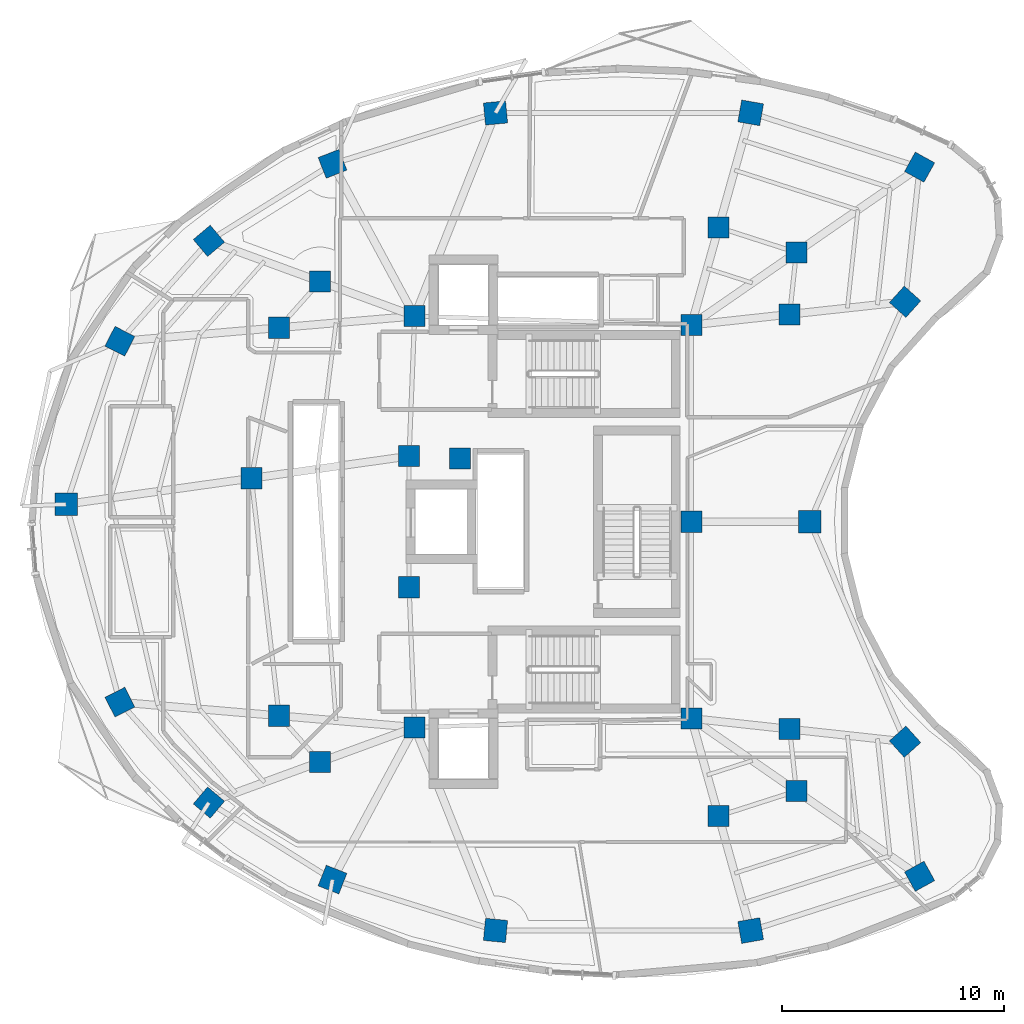
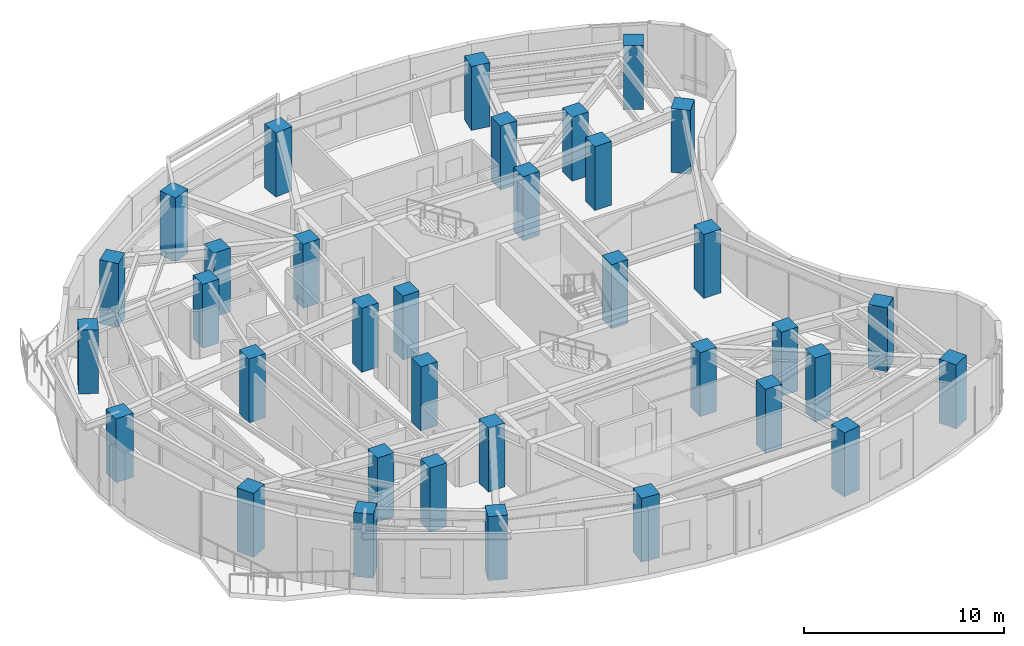
# One storey, part 1 of 13: 35 columns.
"""IFC4 building model written with IfcOpenShell, lengths in metres."""

from ifc_helpers import new_model, si_unit, direction, frame, origin, origin_2d, place, context, subcontext, project, spatial, rectangle, extrude, material, material_profile, profile_set, type_object, element, save


model = new_model("IFC4")

# Units and contexts
model_context = context("Model", 3, precision=1e-05, world=origin(), true_north=direction((0.0, 1.0)))
body_context = subcontext(model_context, "Body", "Model", "MODEL_VIEW")
ifc_project = project(units=[si_unit("LENGTHUNIT", "METRE"), si_unit("AREAUNIT", "SQUARE_METRE"), si_unit("VOLUMEUNIT", "CUBIC_METRE"), si_unit("PLANEANGLEUNIT", "RADIAN"), si_unit("MASSUNIT", "GRAM", prefix="KILO")], contexts=[model_context])

# Site, building, storey
site_placement = place(None, origin())
site = spatial("IfcSite", under=ifc_project, at=site_placement, CompositionType="ELEMENT")
building_placement = place(site_placement, origin())
building = spatial("IfcBuilding", under=site, at=building_placement, Name="Korentha Bioscience Tower", CompositionType="ELEMENT")
storey_placement = place(building_placement, frame((0.0, 0.0, 183.60009765625)))
storey = spatial("IfcBuildingStorey", under=building, at=storey_placement, Name="L42", CompositionType="ELEMENT", Elevation=183.60009765625)

# Columns
ifc_material = material(Name="Concrete C65", Category="concrete")
ifc_material_profile_1 = material_profile(ifc_material, rectangle(XDim=0.949951171875, YDim=0.949951171875, at=origin_2d()), Name="Concrete C65")
ifc_profile_set_1 = profile_set([ifc_material_profile_1], Name="Concrete C65 (COL-CP09)")
column_type_1 = type_object("IfcColumnType", Name="Core Pilaster Column RC 950x950", PredefinedType="PILASTER", material=ifc_profile_set_1)
for number, where, z_axis, x_axis, name in (
    (1, (37.550048828125, 35.85009765625, -0.00048828125), (0.0, 0.0, 1.0), (1.0, 0.0, 0.0), "L42 Core Pilaster CP-01"),
    (2, (25.10009765625, 36.25, -0.00048828125), (0.0, 0.0, 1.0), (1.0, 0.0, 0.0), "L42 Core Pilaster CP-02"),
    (3, (24.85009765625, 29.949951171875, -0.00048828125), (0.0, 0.0, 1.0), (1.0, 0.0, 0.0), "L42 Core Pilaster CP-03"),
    (4, (27.14990234375, 29.85009765625, -0.00048828125), (0.0, 0.0, 1.0), (1.0, 0.0, 0.0), "L42 Core Pilaster CP-04"),
    (5, (24.85009765625, 24.050048828125, -0.00048828125), (0.0, 0.0, 1.0), (1.0, 0.0, 0.0), "L42 Core Pilaster CP-05"),
    (6, (25.10009765625, 17.75, -0.00048828125), (0.0, 0.0, 1.0), (1.0, 0.0, 0.0), "L42 Core Pilaster CP-06"),
    (7, (37.550048828125, 18.14990234375, -0.00048828125), (0.0, 0.0, 1.0), (1.0, 0.0, 0.0), "L42 Core Pilaster CP-07"),
    (8, (37.550048828125, 27.0, -0.00048828125), (0.0, 0.0, 1.0), (1.0, 0.0, 0.0), "L42 Core Pilaster CP-08"),
):
    element("IfcColumn", number, at=place(storey_placement, frame(where, z_axis=z_axis, x_axis=x_axis)), inside=storey, type_object=column_type_1, Name=name, PredefinedType="PILASTER", context=body_context, shape_type="SweptSolid", body=[
        extrude(rectangle(XDim=0.949951171875, YDim=0.949951171875, at=origin_2d()), origin(), (0.0, 0.0, 1.0), 3.90087890625),
    ])
ifc_material_profile_2 = material_profile(ifc_material, rectangle(XDim=0.949951171875, YDim=0.949951171875, at=origin_2d()), Name="Concrete C65")
ifc_profile_set_2 = profile_set([ifc_material_profile_2], Name="Concrete C65 (COL-MR09)")
column_type_2 = type_object("IfcColumnType", Name="Mid-Ring Lab Column RC 950x950", PredefinedType="COLUMN", material=ifc_profile_set_2)
for number, where, z_axis, x_axis, name in (
    (9, (42.274658203125, 39.1171875, -0.00048828125), (0.0, 0.0, 1.0), (1.0, 0.0, 0.0), "L42 Mid-Ring Column 01"),
    (10, (38.77880859375, 40.2412109375, -0.00048828125), (0.0, 0.0, 1.0), (1.0, 0.0, 0.0), "L42 Mid-Ring Column 02"),
    (11, (20.84228515625, 37.807861328125, -0.00048828125), (0.0, 0.0, 1.0), (1.0, 0.0, 0.0), "L42 Mid-Ring Column 05"),
    (12, (18.99951171875, 35.72998046875, -0.00048828125), (0.0, 0.0, 1.0), (1.0, 0.0, 0.0), "L42 Mid-Ring Column 06"),
    (13, (17.75341796875, 28.95458984375, -0.00048828125), (0.0, 0.0, 1.0), (1.0, 0.0, 0.0), "L42 Mid-Ring Column 07"),
    (14, (18.99951171875, 18.27001953125, -0.00048828125), (0.0, 0.0, 1.0), (1.0, 0.0, 0.0), "L42 Mid-Ring Column 08"),
    (15, (20.84228515625, 16.192138671875, -0.00048828125), (0.0, 0.0, 1.0), (1.0, 0.0, 0.0), "L42 Mid-Ring Column 09"),
    (16, (38.77880859375, 13.7587890625, -0.00048828125), (0.0, 0.0, 1.0), (1.0, 0.0, 0.0), "L42 Mid-Ring Column 12"),
    (17, (42.274658203125, 14.8828125, -0.00048828125), (0.0, 0.0, 1.0), (1.0, 0.0, 0.0), "L42 Mid-Ring Column 13"),
    (18, (41.97412109375, 17.66796875, -0.00048828125), (0.0, 0.0, 1.0), (1.0, 0.0, 0.0), "L42 Mid-Ring Column 14"),
    (19, (41.97412109375, 36.33203125, -0.00048828125), (0.0, 0.0, 1.0), (1.0, 0.0, 0.0), "L42 Mid-Ring Column 16"),
):
    element("IfcColumn", number, at=place(storey_placement, frame(where, z_axis=z_axis, x_axis=x_axis)), inside=storey, type_object=column_type_2, Name=name, PredefinedType="COLUMN", context=body_context, shape_type="SweptSolid", body=[
        extrude(rectangle(XDim=0.949951171875, YDim=0.949951171875, at=origin_2d()), origin(), (0.0, 0.0, 1.0), 3.90087890625),
    ])
ifc_material_profile_3 = material_profile(ifc_material, rectangle(XDim=1.0, YDim=1.0, at=origin_2d()), Name="Concrete C65")
ifc_profile_set_3 = profile_set([ifc_material_profile_3], Name="Concrete C65 (COL-P10)")
column_type_3 = type_object("IfcColumnType", Name="Perimeter Column RC 1000x1000", PredefinedType="COLUMN", material=ifc_profile_set_3)
for number, where, z_axis, x_axis, name in (
    (20, (47.821044921875, 42.95263671875, -0.00048828125), (0.0, 0.0, 1.0), (-0.874535078577, 0.484962262797, 0.0), "L42 Perimeter Column 01"),
    (21, (40.22119140625, 45.39599609375, -0.00048828125), (0.0, 0.0, 1.0), (-0.984868307662, 0.173304404339, 0.0), "L42 Perimeter Column 02"),
    (22, (28.739501953125, 45.390380859375, -0.00048828125), (0.0, 0.0, 1.0), (0.995462868748, 0.095150811579, 0.0), "L42 Perimeter Column 03"),
    (23, (21.405517578125, 43.102783203125, -0.00048828125), (0.0, 0.0, 1.0), (0.930225540858, 0.366988341962, 0.0), "L42 Perimeter Column 04"),
    (24, (15.843994140625, 39.63671875, -0.00048828125), (0.0, 0.0, 1.0), (0.764246456939, 0.644924300253, 0.0), "L42 Perimeter Column 05"),
    (25, (11.837890625, 35.119384765625, -0.00048828125), (0.0, 0.0, 1.0), (0.453057191132, 0.891481453292, 0.0), "L42 Perimeter Column 06"),
    (26, (9.422607421875, 27.785888671875, -0.00048828125), (0.0, 0.0, 1.0), (0.0, 1.0, 0.0), "L42 Perimeter Column 07"),
    (27, (11.837890625, 18.880615234375, -0.00048828125), (0.0, 0.0, 1.0), (-0.453057191132, 0.891481453292, 0.0), "L42 Perimeter Column 08"),
    (28, (15.843994140625, 14.36328125, -0.00048828125), (0.0, 0.0, 1.0), (-0.764246456939, 0.644924300253, 0.0), "L42 Perimeter Column 09"),
    (29, (21.405517578125, 10.897216796875, -0.00048828125), (0.0, 0.0, 1.0), (-0.930225540858, 0.366988341962, 0.0), "L42 Perimeter Column 10"),
    (30, (28.739501953125, 8.609619140625, -0.00048828125), (0.0, 0.0, 1.0), (-0.995462868748, 0.095150811579, 0.0), "L42 Perimeter Column 11"),
    (31, (40.22119140625, 8.60400390625, -0.00048828125), (0.0, 0.0, 1.0), (0.984868307662, 0.173304404339, 0.0), "L42 Perimeter Column 12"),
    (32, (47.821044921875, 11.04736328125, -0.00048828125), (0.0, 0.0, 1.0), (0.874535078577, 0.484962262797, 0.0), "L42 Perimeter Column 13"),
    (33, (47.16748046875, 17.10205078125, -0.00048828125), (0.0, 0.0, 1.0), (-0.669130606359, 0.743144825477, 0.0), "L42 Perimeter Column 14"),
    (34, (42.8818359375, 27.0, -0.00048828125), (0.0, 0.0, 1.0), (0.0, 1.0, 0.0), "L42 Perimeter Column 15"),
    (35, (47.16748046875, 36.89794921875, -0.00048828125), (0.0, 0.0, 1.0), (0.669130606359, 0.743144825477, 0.0), "L42 Perimeter Column 16"),
):
    element("IfcColumn", number, at=place(storey_placement, frame(where, z_axis=z_axis, x_axis=x_axis)), inside=storey, type_object=column_type_3, Name=name, PredefinedType="COLUMN", context=body_context, shape_type="SweptSolid", body=[
        extrude(rectangle(XDim=1.0, YDim=1.0, at=origin_2d()), origin(), (0.0, 0.0, 1.0), 3.90087890625),
    ])

save(model, "model.ifc")
